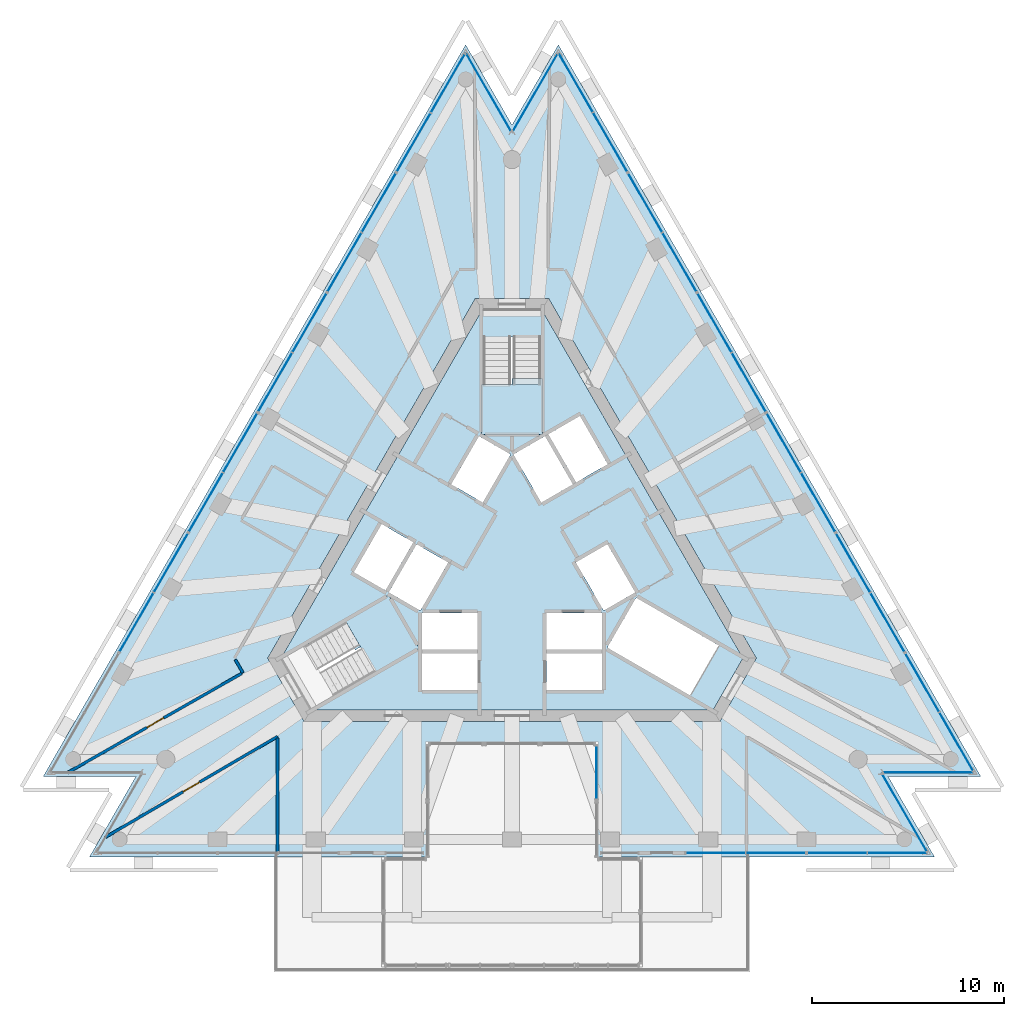
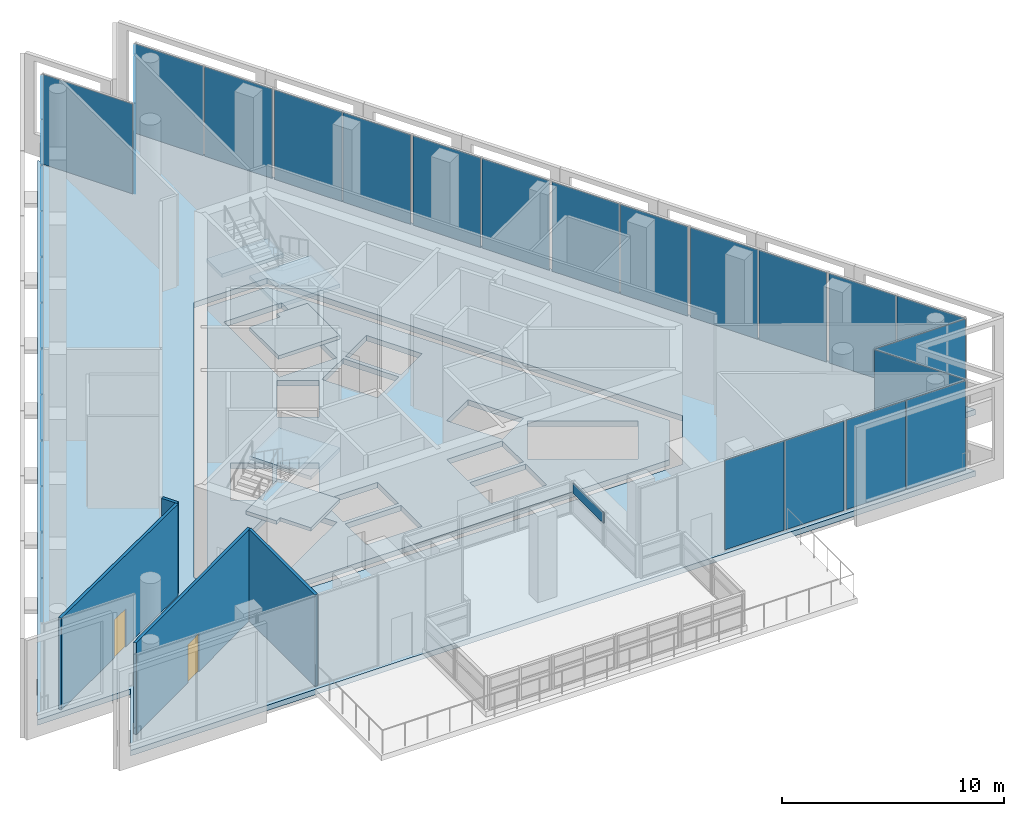
# One storey, part 11 of 17: 31 plates, 7 slabs, 4 walls, 2 doors, 2 openings, 20 elements without a shape of their own.
"""IFC4 building model written with IfcOpenShell, lengths in metres."""

from ifc_helpers import new_model, si_unit, direction, frame, frame_2d, origin, origin_2d, place, context, subcontext, project, spatial, polyline, rectangle, outline, extrude, material, layer, layer_set, type_object, element, fill, aggregate, save


model = new_model("IFC4")

# Units and contexts
model_context = context("Model", 3, precision=1e-05, world=origin(), true_north=direction((0.0, 1.0)))
body_context = subcontext(model_context, "Body", "Model", "MODEL_VIEW")
ifc_project = project(units=[si_unit("LENGTHUNIT", "METRE"), si_unit("AREAUNIT", "SQUARE_METRE"), si_unit("VOLUMEUNIT", "CUBIC_METRE"), si_unit("PLANEANGLEUNIT", "RADIAN"), si_unit("MASSUNIT", "GRAM", prefix="KILO")], contexts=[model_context])

# Site, building, storey
site_placement = place(None, origin())
site = spatial("IfcSite", under=ifc_project, at=site_placement, CompositionType="ELEMENT")
building_placement = place(site_placement, origin())
building = spatial("IfcBuilding", under=site, at=building_placement, Name="Triada Interchange Tower", CompositionType="ELEMENT")
storey_placement = place(building_placement, frame((0.0, 0.0, 322.300048828125)))
storey = spatial("IfcBuildingStorey", under=building, at=storey_placement, Name="L77", CompositionType="ELEMENT", Elevation=322.300048828125)

# Slabs
ifc_material_1 = material(Name="Concrete C50/60", Category="concrete")
ifc_layer_1 = layer(ifc_material_1, 0.300048828125)
ifc_layer_set_1 = layer_set([ifc_layer_1], Name="Floor slab 300")
slab_type_1 = type_object("IfcSlabType", Name="Floor slab 300", PredefinedType="FLOOR", material=ifc_layer_set_1)
slab_1_placement = place(storey_placement, frame((0.0, 0.0, -0.300048828125)))
element("IfcSlab", 1, at=slab_1_placement, inside=storey, type_object=slab_type_1, Name="Floor slab L77", PredefinedType="FLOOR", context=body_context, shape_type="SweptSolid", body=[
    extrude(outline(polyline([(-2.416015625, 26.81494140625), (-24.430908203125, -11.31494140625), (-19.597900390625, -11.31494140625), (-22.013916015625, -15.5), (22.013916015625, -15.5), (19.597900390625, -11.31494140625), (24.430908203125, -11.31494140625), (2.416015625, 26.81494140625), (0.0, 22.6298828125), (-2.416015625, 26.81494140625)]), holes=[polyline([(1.905029296875, 13.60009765625), (-1.905029296875, 13.60009765625), (-12.73095703125, -5.14990234375), (-10.824951171875, -8.449951171875), (10.824951171875, -8.449951171875), (12.73095703125, -5.14990234375), (1.905029296875, 13.60009765625)])]), origin(), (0.0, 0.0, 1.0), 0.300048828125),
])
slab_2_placement = place(storey_placement, frame((0.0, 0.0, -0.300048828125)))
element("IfcSlab", 2, at=slab_2_placement, inside=storey, type_object=slab_type_1, Name="Core floor slab L77 1", PredefinedType="FLOOR", context=body_context, shape_type="SweptSolid", body=[
    extrude(outline(polyline([(12.0380859375, -5.14990234375), (10.47900390625, -7.85009765625), (-10.47900390625, -7.85009765625), (-12.0380859375, -5.14990234375), (-1.55908203125, 13.0), (1.55908203125, 13.0), (12.0380859375, -5.14990234375)]), holes=[polyline([(9.2958984375, -7.09912109375), (10.7958984375, -4.5009765625), (6.466064453125, -2.0009765625), (4.966064453125, -4.59912109375), (9.2958984375, -7.09912109375)]), polyline([(4.969970703125, 0.791015625), (3.324951171875, -0.158935546875), (4.77490234375, -2.669921875), (6.419921875, -1.719970703125), (4.969970703125, 0.791015625)]), polyline([(1.89404296875, 6.52001953125), (3.343994140625, 4.009033203125), (4.989013671875, 4.958984375), (3.5390625, 7.469970703125), (1.89404296875, 6.52001953125)]), polyline([(1.800048828125, -4.89990234375), (1.800048828125, -6.4990234375), (1.800048828125, -6.800048828125), (4.699951171875, -6.800048828125), (4.699951171875, -4.89990234375), (1.800048828125, -4.89990234375)]), polyline([(4.699951171875, -2.800048828125), (1.800048828125, -2.800048828125), (1.800048828125, -4.699951171875), (4.699951171875, -4.699951171875), (4.699951171875, -2.800048828125)]), polyline([(1.52490234375, 2.958984375), (2.594970703125, 3.576904296875), (3.169921875, 3.908935546875), (1.719970703125, 6.419921875), (0.074951171875, 5.469970703125), (1.52490234375, 2.958984375)]), polyline([(-1.5, 11.60009765625), (-1.5, 6.60009765625), (1.5, 6.60009765625), (1.5, 11.60009765625), (-1.5, 11.60009765625)]), polyline([(-1.52490234375, 2.958984375), (-0.074951171875, 5.469970703125), (-1.719970703125, 6.419921875), (-3.169921875, 3.908935546875), (-1.52490234375, 2.958984375)]), polyline([(-1.800048828125, -2.800048828125), (-4.699951171875, -2.800048828125), (-4.699951171875, -4.699951171875), (-1.800048828125, -4.699951171875), (-1.800048828125, -2.800048828125)]), polyline([(-4.699951171875, -6.800048828125), (-1.800048828125, -6.800048828125), (-1.800048828125, -6.4990234375), (-1.800048828125, -4.89990234375), (-4.699951171875, -4.89990234375), (-4.699951171875, -6.800048828125)]), polyline([(-3.427978515625, -0.09912109375), (-4.969970703125, 0.791015625), (-6.419921875, -1.719970703125), (-4.77490234375, -2.669921875), (-3.324951171875, -0.158935546875), (-3.427978515625, -0.09912109375)]), polyline([(-10.7958984375, -4.5009765625), (-9.2958984375, -7.09912109375), (-4.966064453125, -4.59912109375), (-6.466064453125, -2.0009765625), (-10.7958984375, -4.5009765625)]), polyline([(-6.593994140625, -1.6201171875), (-5.14404296875, 0.89111328125), (-6.7890625, 1.841064453125), (-8.239013671875, -0.669921875), (-6.593994140625, -1.6201171875)])]), origin(), (0.0, 0.0, 1.0), 0.300048828125),
])

# Curtain wall, plates
ifc_material_2 = material(Name="Aluminium framed glazing", Category="aluminium")
ifc_layer_2 = layer(ifc_material_2, 0.199951171875)
ifc_layer_set_2 = layer_set([ifc_layer_2], Name="Curtain wall Sky lobby glazing")
curtain_wall_type_1 = type_object("IfcCurtainWallType", Name="Curtain wall Sky lobby glazing", PredefinedType="NOTDEFINED", material=ifc_layer_set_2)
curtain_wall_1_placement = place(storey_placement, origin())
curtain_wall_1 = element("IfcCurtainWall", 3, at=curtain_wall_1_placement, inside=storey, type_object=curtain_wall_type_1, Name="Sky lobby glazing CW301 L77", PredefinedType="NOTDEFINED")
ifc_material_3 = material(Name="Insulated glazing unit", Category="glass")
ifc_layer_3 = layer(ifc_material_3, 0.028076171875)
ifc_layer_set_3 = layer_set([ifc_layer_3], Name="Glazing panel Sky lobby glazing 28")
plate_type_1 = type_object("IfcPlateType", Name="Glazing panel Sky lobby glazing 28", PredefinedType="CURTAIN_PANEL", material=ifc_layer_set_3)
plate_1_placement = place(storey_placement, frame((-3.34814453125, 24.80029296875, 0.06005859375), z_axis=(0.0, 0.0, 1.0), x_axis=(-0.500000595274, -0.866025060103, 0.0)))
plate_1 = element("IfcPlate", 4, at=plate_1_placement, type_object=plate_type_1, Name="CW301 panel 1.1", PredefinedType="CURTAIN_PANEL", context=body_context, shape_type="SweptSolid", body=[
    extrude(rectangle(XDim=3.489013671875, YDim=0.028076171875, at=origin_2d()), origin(), (0.0, 0.0, 1.0), 4.929931640625),
])
plate_2_placement = place(storey_placement, frame((-5.122802734375, 21.726806640625, 0.06005859375), z_axis=(0.0, 0.0, 1.0), x_axis=(-0.500000595274, -0.866025060103, 0.0)))
plate_2 = element("IfcPlate", 5, at=plate_2_placement, type_object=plate_type_1, Name="CW301 panel 2.1", PredefinedType="CURTAIN_PANEL", context=body_context, shape_type="SweptSolid", body=[
    extrude(rectangle(XDim=3.489013671875, YDim=0.028076171875, at=origin_2d()), origin(), (0.0, 0.0, 1.0), 4.929931640625),
])
aggregate(curtain_wall_1, [plate_1, plate_2])

curtain_wall_2_placement = place(storey_placement, origin())
curtain_wall_2 = element("IfcCurtainWall", 6, at=curtain_wall_2_placement, inside=storey, type_object=curtain_wall_type_1, Name="Sky lobby glazing CW302 L77", PredefinedType="NOTDEFINED")
plate_3_placement = place(storey_placement, frame((-6.93896484375, 18.581298828125, 0.06005859375), z_axis=(0.0, 0.0, 1.0), x_axis=(-0.499926472032, -0.866067851015, 0.0)))
plate_3 = element("IfcPlate", 7, at=plate_3_placement, type_object=plate_type_1, Name="CW302 panel 1.1", PredefinedType="CURTAIN_PANEL", context=body_context, shape_type="SweptSolid", body=[
    extrude(rectangle(XDim=3.5166015625, YDim=0.028076171875, at=origin_2d()), origin(), (0.0, 0.0, 1.0), 4.929931640625),
])
plate_4_placement = place(storey_placement, frame((-8.72705078125, 15.483642578125, 0.06005859375), z_axis=(0.0, 0.0, 1.0), x_axis=(-0.499926472032, -0.866067851015, 0.0)))
plate_4 = element("IfcPlate", 8, at=plate_4_placement, type_object=plate_type_1, Name="CW302 panel 2.1", PredefinedType="CURTAIN_PANEL", context=body_context, shape_type="SweptSolid", body=[
    extrude(rectangle(XDim=3.5166015625, YDim=0.028076171875, at=origin_2d()), origin(), (0.0, 0.0, 1.0), 4.929931640625),
])
aggregate(curtain_wall_2, [plate_3, plate_4])

curtain_wall_3_placement = place(storey_placement, origin())
curtain_wall_3 = element("IfcCurtainWall", 9, at=curtain_wall_3_placement, inside=storey, type_object=curtain_wall_type_1, Name="Sky lobby glazing CW303 L77", PredefinedType="NOTDEFINED")
plate_5_placement = place(storey_placement, frame((-10.55029296875, 12.326171875, 0.06005859375), z_axis=(0.0, 0.0, 1.0), x_axis=(-0.500030449467, -0.866007823062, 0.0)))
plate_5 = element("IfcPlate", 10, at=plate_5_placement, type_object=plate_type_1, Name="CW303 panel 1.1", PredefinedType="CURTAIN_PANEL", context=body_context, shape_type="SweptSolid", body=[
    extrude(rectangle(XDim=3.516845703125, YDim=0.028076171875, at=origin_2d()), origin(), (0.0, 0.0, 1.0), 4.929931640625),
])
plate_6_placement = place(storey_placement, frame((-12.3388671875, 9.228759765625, 0.06005859375), z_axis=(0.0, 0.0, 1.0), x_axis=(-0.500030449467, -0.866007823062, 0.0)))
plate_6 = element("IfcPlate", 11, at=plate_6_placement, type_object=plate_type_1, Name="CW303 panel 2.1", PredefinedType="CURTAIN_PANEL", context=body_context, shape_type="SweptSolid", body=[
    extrude(rectangle(XDim=3.516845703125, YDim=0.028076171875, at=origin_2d()), origin(), (0.0, 0.0, 1.0), 4.929931640625),
])
aggregate(curtain_wall_3, [plate_5, plate_6])

curtain_wall_4_placement = place(storey_placement, origin())
curtain_wall_4 = element("IfcCurtainWall", 12, at=curtain_wall_4_placement, inside=storey, type_object=curtain_wall_type_1, Name="Sky lobby glazing CW304 L77", PredefinedType="NOTDEFINED")
plate_7_placement = place(storey_placement, frame((-14.162109375, 6.0712890625, 0.06005859375), z_axis=(0.0, 0.0, 1.0), x_axis=(-0.499926472032, -0.866067851015, 0.0)))
plate_7 = element("IfcPlate", 13, at=plate_7_placement, type_object=plate_type_1, Name="CW304 panel 1.1", PredefinedType="CURTAIN_PANEL", context=body_context, shape_type="SweptSolid", body=[
    extrude(rectangle(XDim=3.5166015625, YDim=0.028076171875, at=origin_2d()), origin(), (0.0, 0.0, 1.0), 4.929931640625),
])
plate_8_placement = place(storey_placement, frame((-15.949951171875, 2.9736328125, 0.06005859375), z_axis=(0.0, 0.0, 1.0), x_axis=(-0.499926472032, -0.866067851015, 0.0)))
plate_8 = element("IfcPlate", 14, at=plate_8_placement, type_object=plate_type_1, Name="CW304 panel 2.1", PredefinedType="CURTAIN_PANEL", context=body_context, shape_type="SweptSolid", body=[
    extrude(rectangle(XDim=3.5166015625, YDim=0.028076171875, at=origin_2d()), origin(), (0.0, 0.0, 1.0), 4.929931640625),
])
aggregate(curtain_wall_4, [plate_7, plate_8])

curtain_wall_5_placement = place(storey_placement, origin())
curtain_wall_5 = element("IfcCurtainWall", 15, at=curtain_wall_5_placement, inside=storey, type_object=curtain_wall_type_1, Name="Sky lobby glazing CW305 L77", PredefinedType="NOTDEFINED")
plate_9_placement = place(storey_placement, frame((-17.773193359375, -0.183837890625, 0.06005859375), z_axis=(0.0, 0.0, 1.0), x_axis=(-0.500030449467, -0.866007823062, 0.0)))
plate_9 = element("IfcPlate", 16, at=plate_9_placement, type_object=plate_type_1, Name="CW305 panel 1.1", PredefinedType="CURTAIN_PANEL", context=body_context, shape_type="SweptSolid", body=[
    extrude(rectangle(XDim=3.516845703125, YDim=0.028076171875, at=origin_2d()), origin(), (0.0, 0.0, 1.0), 4.929931640625),
])
plate_10_placement = place(storey_placement, frame((-19.561767578125, -3.28125, 0.06005859375), z_axis=(0.0, 0.0, 1.0), x_axis=(-0.500030449467, -0.866007823062, 0.0)))
plate_10 = element("IfcPlate", 17, at=plate_10_placement, type_object=plate_type_1, Name="CW305 panel 2.1", PredefinedType="CURTAIN_PANEL", context=body_context, shape_type="SweptSolid", body=[
    extrude(rectangle(XDim=3.516845703125, YDim=0.028076171875, at=origin_2d()), origin(), (0.0, 0.0, 1.0), 4.929931640625),
])
aggregate(curtain_wall_5, [plate_9, plate_10])

curtain_wall_6_placement = place(storey_placement, origin())
curtain_wall_6 = element("IfcCurtainWall", 18, at=curtain_wall_6_placement, inside=storey, type_object=curtain_wall_type_1, Name="Sky lobby glazing CW313 L77", PredefinedType="NOTDEFINED")
plate_11_placement = place(storey_placement, frame((10.60595703125, -15.300048828125, 0.06005859375), z_axis=(0.0, 0.0, 1.0), x_axis=(1.0, 0.0, 0.0)))
plate_11 = element("IfcPlate", 19, at=plate_11_placement, type_object=plate_type_1, Name="CW313 panel 1.1", PredefinedType="CURTAIN_PANEL", context=body_context, shape_type="SweptSolid", body=[
    extrude(rectangle(XDim=3.072021484375, YDim=0.028076171875, at=origin_2d()), origin(), (0.0, 0.0, 1.0), 4.929931640625),
])
plate_12_placement = place(storey_placement, frame((13.738037109375, -15.300048828125, 0.06005859375), z_axis=(0.0, 0.0, 1.0), x_axis=(1.0, 0.0, 0.0)))
plate_12 = element("IfcPlate", 20, at=plate_12_placement, type_object=plate_type_1, Name="CW313 panel 2.1", PredefinedType="CURTAIN_PANEL", context=body_context, shape_type="SweptSolid", body=[
    extrude(rectangle(XDim=3.072021484375, YDim=0.028076171875, at=origin_2d()), origin(), (0.0, 0.0, 1.0), 4.929931640625),
])
aggregate(curtain_wall_6, [plate_11, plate_12])

curtain_wall_7_placement = place(storey_placement, origin())
curtain_wall_7 = element("IfcCurtainWall", 21, at=curtain_wall_7_placement, inside=storey, type_object=curtain_wall_type_1, Name="Sky lobby glazing CW314 L77", PredefinedType="NOTDEFINED")
plate_13_placement = place(storey_placement, frame((16.93994140625, -15.300048828125, 0.06005859375), z_axis=(0.0, 0.0, 1.0), x_axis=(1.0, 0.0, 0.0)))
plate_13 = element("IfcPlate", 22, at=plate_13_placement, type_object=plate_type_1, Name="CW314 panel 1.1", PredefinedType="CURTAIN_PANEL", context=body_context, shape_type="SweptSolid", body=[
    extrude(rectangle(XDim=3.072021484375, YDim=0.028076171875, at=origin_2d()), origin(), (0.0, 0.0, 1.0), 4.929931640625),
])
plate_14_placement = place(storey_placement, frame((20.072021484375, -15.300048828125, 0.06005859375), z_axis=(0.0, 0.0, 1.0), x_axis=(1.0, 0.0, 0.0)))
plate_14 = element("IfcPlate", 23, at=plate_14_placement, type_object=plate_type_1, Name="CW314 panel 2.1", PredefinedType="CURTAIN_PANEL", context=body_context, shape_type="SweptSolid", body=[
    extrude(rectangle(XDim=3.072021484375, YDim=0.028076171875, at=origin_2d()), origin(), (0.0, 0.0, 1.0), 4.929931640625),
])
aggregate(curtain_wall_7, [plate_13, plate_14])

curtain_wall_8_placement = place(storey_placement, origin())
curtain_wall_8 = element("IfcCurtainWall", 24, at=curtain_wall_8_placement, inside=storey, type_object=curtain_wall_type_1, Name="Sky lobby glazing CW317 L77", PredefinedType="NOTDEFINED")
plate_15_placement = place(storey_placement, frame((23.15283203125, -9.500244140625, 0.06005859375), z_axis=(0.0, 0.0, 1.0), x_axis=(-0.500000595274, 0.866025060103, 0.0)))
plate_15 = element("IfcPlate", 25, at=plate_15_placement, type_object=plate_type_1, Name="CW317 panel 1.1", PredefinedType="CURTAIN_PANEL", context=body_context, shape_type="SweptSolid", body=[
    extrude(rectangle(XDim=3.489013671875, YDim=0.028076171875, at=origin_2d()), origin(), (0.0, 0.0, 1.0), 4.929931640625),
])
plate_16_placement = place(storey_placement, frame((21.378173828125, -6.4267578125, 0.06005859375), z_axis=(0.0, 0.0, 1.0), x_axis=(-0.500000595274, 0.866025060103, 0.0)))
plate_16 = element("IfcPlate", 26, at=plate_16_placement, type_object=plate_type_1, Name="CW317 panel 2.1", PredefinedType="CURTAIN_PANEL", context=body_context, shape_type="SweptSolid", body=[
    extrude(rectangle(XDim=3.489013671875, YDim=0.028076171875, at=origin_2d()), origin(), (0.0, 0.0, 1.0), 4.929931640625),
])
aggregate(curtain_wall_8, [plate_15, plate_16])

curtain_wall_9_placement = place(storey_placement, origin())
curtain_wall_9 = element("IfcCurtainWall", 27, at=curtain_wall_9_placement, inside=storey, type_object=curtain_wall_type_1, Name="Sky lobby glazing CW318 L77", PredefinedType="NOTDEFINED")
plate_17_placement = place(storey_placement, frame((19.56201171875, -3.28125, 0.06005859375), z_axis=(0.0, 0.0, 1.0), x_axis=(-0.499926472032, 0.866067851015, 0.0)))
plate_17 = element("IfcPlate", 28, at=plate_17_placement, type_object=plate_type_1, Name="CW318 panel 1.1", PredefinedType="CURTAIN_PANEL", context=body_context, shape_type="SweptSolid", body=[
    extrude(rectangle(XDim=3.5166015625, YDim=0.028076171875, at=origin_2d()), origin(), (0.0, 0.0, 1.0), 4.929931640625),
])
plate_18_placement = place(storey_placement, frame((17.77392578125, -0.183837890625, 0.06005859375), z_axis=(0.0, 0.0, 1.0), x_axis=(-0.499926472032, 0.866067851015, 0.0)))
plate_18 = element("IfcPlate", 29, at=plate_18_placement, type_object=plate_type_1, Name="CW318 panel 2.1", PredefinedType="CURTAIN_PANEL", context=body_context, shape_type="SweptSolid", body=[
    extrude(rectangle(XDim=3.5166015625, YDim=0.028076171875, at=origin_2d()), origin(), (0.0, 0.0, 1.0), 4.929931640625),
])
aggregate(curtain_wall_9, [plate_17, plate_18])

curtain_wall_10_placement = place(storey_placement, origin())
curtain_wall_10 = element("IfcCurtainWall", 30, at=curtain_wall_10_placement, inside=storey, type_object=curtain_wall_type_1, Name="Sky lobby glazing CW319 L77", PredefinedType="NOTDEFINED")
plate_19_placement = place(storey_placement, frame((15.95068359375, 2.9736328125, 0.06005859375), z_axis=(0.0, 0.0, 1.0), x_axis=(-0.500030449467, 0.866007823062, 0.0)))
plate_19 = element("IfcPlate", 31, at=plate_19_placement, type_object=plate_type_1, Name="CW319 panel 1.1", PredefinedType="CURTAIN_PANEL", context=body_context, shape_type="SweptSolid", body=[
    extrude(rectangle(XDim=3.516845703125, YDim=0.028076171875, at=origin_2d()), origin(), (0.0, 0.0, 1.0), 4.929931640625),
])
plate_20_placement = place(storey_placement, frame((14.162353515625, 6.0712890625, 0.06005859375), z_axis=(0.0, 0.0, 1.0), x_axis=(-0.500030449467, 0.866007823062, 0.0)))
plate_20 = element("IfcPlate", 32, at=plate_20_placement, type_object=plate_type_1, Name="CW319 panel 2.1", PredefinedType="CURTAIN_PANEL", context=body_context, shape_type="SweptSolid", body=[
    extrude(rectangle(XDim=3.516845703125, YDim=0.028076171875, at=origin_2d()), origin(), (0.0, 0.0, 1.0), 4.929931640625),
])
aggregate(curtain_wall_10, [plate_19, plate_20])

curtain_wall_11_placement = place(storey_placement, origin())
curtain_wall_11 = element("IfcCurtainWall", 33, at=curtain_wall_11_placement, inside=storey, type_object=curtain_wall_type_1, Name="Sky lobby glazing CW320 L77", PredefinedType="NOTDEFINED")
plate_21_placement = place(storey_placement, frame((12.339111328125, 9.228759765625, 0.06005859375), z_axis=(0.0, 0.0, 1.0), x_axis=(-0.499926472032, 0.866067851015, 0.0)))
plate_21 = element("IfcPlate", 34, at=plate_21_placement, type_object=plate_type_1, Name="CW320 panel 1.1", PredefinedType="CURTAIN_PANEL", context=body_context, shape_type="SweptSolid", body=[
    extrude(rectangle(XDim=3.5166015625, YDim=0.028076171875, at=origin_2d()), origin(), (0.0, 0.0, 1.0), 4.929931640625),
])
plate_22_placement = place(storey_placement, frame((10.551025390625, 12.326171875, 0.06005859375), z_axis=(0.0, 0.0, 1.0), x_axis=(-0.499926472032, 0.866067851015, 0.0)))
plate_22 = element("IfcPlate", 35, at=plate_22_placement, type_object=plate_type_1, Name="CW320 panel 2.1", PredefinedType="CURTAIN_PANEL", context=body_context, shape_type="SweptSolid", body=[
    extrude(rectangle(XDim=3.5166015625, YDim=0.028076171875, at=origin_2d()), origin(), (0.0, 0.0, 1.0), 4.929931640625),
])
aggregate(curtain_wall_11, [plate_21, plate_22])

curtain_wall_12_placement = place(storey_placement, origin())
curtain_wall_12 = element("IfcCurtainWall", 36, at=curtain_wall_12_placement, inside=storey, type_object=curtain_wall_type_1, Name="Sky lobby glazing CW321 L77", PredefinedType="NOTDEFINED")
plate_23_placement = place(storey_placement, frame((8.727783203125, 15.483642578125, 0.06005859375), z_axis=(0.0, 0.0, 1.0), x_axis=(-0.500030449467, 0.866007823062, 0.0)))
plate_23 = element("IfcPlate", 37, at=plate_23_placement, type_object=plate_type_1, Name="CW321 panel 1.1", PredefinedType="CURTAIN_PANEL", context=body_context, shape_type="SweptSolid", body=[
    extrude(rectangle(XDim=3.516845703125, YDim=0.028076171875, at=origin_2d()), origin(), (0.0, 0.0, 1.0), 4.929931640625),
])
plate_24_placement = place(storey_placement, frame((6.939208984375, 18.581298828125, 0.06005859375), z_axis=(0.0, 0.0, 1.0), x_axis=(-0.500030449467, 0.866007823062, 0.0)))
plate_24 = element("IfcPlate", 38, at=plate_24_placement, type_object=plate_type_1, Name="CW321 panel 2.1", PredefinedType="CURTAIN_PANEL", context=body_context, shape_type="SweptSolid", body=[
    extrude(rectangle(XDim=3.516845703125, YDim=0.028076171875, at=origin_2d()), origin(), (0.0, 0.0, 1.0), 4.929931640625),
])
aggregate(curtain_wall_12, [plate_23, plate_24])

curtain_wall_13_placement = place(storey_placement, origin())
curtain_wall_13 = element("IfcCurtainWall", 39, at=curtain_wall_13_placement, inside=storey, type_object=curtain_wall_type_1, Name="Sky lobby glazing CW322 L77", PredefinedType="NOTDEFINED")
plate_25_placement = place(storey_placement, frame((5.115234375, 21.73974609375, 0.06005859375), z_axis=(0.0, 0.0, 1.0), x_axis=(-0.49999828215, 0.866026395584, 0.0)))
plate_25 = element("IfcPlate", 40, at=plate_25_placement, type_object=plate_type_1, Name="CW322 panel 1.1", PredefinedType="CURTAIN_PANEL", context=body_context, shape_type="SweptSolid", body=[
    extrude(rectangle(XDim=3.51904296875, YDim=0.028076171875, at=origin_2d()), origin(), (0.0, 0.0, 1.0), 4.929931640625),
])
plate_26_placement = place(storey_placement, frame((3.32568359375, 24.83935546875, 0.06005859375), z_axis=(0.0, 0.0, 1.0), x_axis=(-0.49999828215, 0.866026395584, 0.0)))
plate_26 = element("IfcPlate", 41, at=plate_26_placement, type_object=plate_type_1, Name="CW322 panel 2.1", PredefinedType="CURTAIN_PANEL", context=body_context, shape_type="SweptSolid", body=[
    extrude(rectangle(XDim=3.51904296875, YDim=0.028076171875, at=origin_2d()), origin(), (0.0, 0.0, 1.0), 4.929931640625),
])
aggregate(curtain_wall_13, [plate_25, plate_26])

# Curtain wall, plate
ifc_layer_4 = layer(ifc_material_2, 0.199951171875)
ifc_layer_set_4 = layer_set([ifc_layer_4], Name="Curtain wall Sky pool enclosure")
curtain_wall_type_2 = type_object("IfcCurtainWallType", Name="Curtain wall Sky pool enclosure", PredefinedType="NOTDEFINED", material=ifc_layer_set_4)
curtain_wall_14_placement = place(storey_placement, origin())
curtain_wall_14 = element("IfcCurtainWall", 42, at=curtain_wall_14_placement, inside=storey, type_object=curtain_wall_type_2, Name="Sky pool enclosure CW902 L77", PredefinedType="NOTDEFINED")
ifc_layer_5 = layer(ifc_material_3, 0.0439453125)
ifc_layer_set_5 = layer_set([ifc_layer_5], Name="Glazing panel Sky pool enclosure 44")
plate_type_2 = type_object("IfcPlateType", Name="Glazing panel Sky pool enclosure 44", PredefinedType="CURTAIN_PANEL", material=ifc_layer_set_5)
plate_27_placement = place(storey_placement, frame((4.39990234375, -11.114990234375, 1.43994140625), z_axis=(0.0, 0.0, 1.0), x_axis=(0.0, 1.0, 0.0)))
plate_27 = element("IfcPlate", 43, at=plate_27_placement, type_object=plate_type_2, Name="CW902 panel 1.2", PredefinedType="CURTAIN_PANEL", context=body_context, shape_type="SweptSolid", body=[
    extrude(rectangle(XDim=2.72998046875, YDim=0.0439453125, at=origin_2d()), origin(), (0.0, 0.0, 1.0), 0.580078125),
])
aggregate(curtain_wall_14, [plate_27])

ifc_layer_6 = layer(ifc_material_2, 0.199951171875)
ifc_layer_set_6 = layer_set([ifc_layer_6], Name="Curtain wall Winter garden glazing")
curtain_wall_type_3 = type_object("IfcCurtainWallType", Name="Curtain wall Winter garden glazing", PredefinedType="NOTDEFINED", material=ifc_layer_set_6)
curtain_wall_15_placement = place(storey_placement, origin())
curtain_wall_15 = element("IfcCurtainWall", 44, at=curtain_wall_15_placement, inside=storey, type_object=curtain_wall_type_3, Name="Winter garden glazing CW315 L77", PredefinedType="NOTDEFINED")
ifc_layer_7 = layer(ifc_material_3, 0.02392578125)
ifc_layer_set_7 = layer_set([ifc_layer_7], Name="Glazing panel Winter garden glazing 24")
plate_type_3 = type_object("IfcPlateType", Name="Glazing panel Winter garden glazing 24", PredefinedType="CURTAIN_PANEL", material=ifc_layer_set_7)
plate_28_placement = place(storey_placement, frame((20.445068359375, -13.181396484375, 0.0498046875), z_axis=(0.0, 0.0, 1.0), x_axis=(-0.499970349967, 0.866042521562, 0.0)))
plate_28 = element("IfcPlate", 45, at=plate_28_placement, type_object=plate_type_3, Name="CW315 panel 1.1", PredefinedType="CURTAIN_PANEL", context=body_context, shape_type="SweptSolid", body=[
    extrude(rectangle(XDim=4.67236328125, YDim=0.02392578125, at=origin_2d()), origin(), (0.0, 0.0, 1.0), 4.949951171875),
])
aggregate(curtain_wall_15, [plate_28])

curtain_wall_16_placement = place(storey_placement, origin())
curtain_wall_16 = element("IfcCurtainWall", 46, at=curtain_wall_16_placement, inside=storey, type_object=curtain_wall_type_3, Name="Winter garden glazing CW316 L77", PredefinedType="NOTDEFINED")
plate_29_placement = place(storey_placement, frame((21.698486328125, -11.114990234375, 0.0498046875), z_axis=(0.0, 0.0, 1.0), x_axis=(1.0, 0.0, 0.0)))
plate_29 = element("IfcPlate", 47, at=plate_29_placement, type_object=plate_type_3, Name="CW316 panel 1.1", PredefinedType="CURTAIN_PANEL", context=body_context, shape_type="SweptSolid", body=[
    extrude(rectangle(XDim=4.673095703125, YDim=0.02392578125, at=origin_2d()), origin(), (0.0, 0.0, 1.0), 4.949951171875),
])
aggregate(curtain_wall_16, [plate_29])

curtain_wall_17_placement = place(storey_placement, origin())
curtain_wall_17 = element("IfcCurtainWall", 48, at=curtain_wall_17_placement, inside=storey, type_object=curtain_wall_type_3, Name="Winter garden glazing CW323 L77", PredefinedType="NOTDEFINED")
plate_30_placement = place(storey_placement, frame((1.193115234375, 24.29638671875, 0.0498046875), z_axis=(0.0, 0.0, 1.0), x_axis=(-0.499970349967, -0.866042521562, 0.0)))
plate_30 = element("IfcPlate", 49, at=plate_30_placement, type_object=plate_type_3, Name="CW323 panel 1.1", PredefinedType="CURTAIN_PANEL", context=body_context, shape_type="SweptSolid", body=[
    extrude(rectangle(XDim=4.67236328125, YDim=0.02392578125, at=origin_2d()), origin(), (0.0, 0.0, 1.0), 4.949951171875),
])
aggregate(curtain_wall_17, [plate_30])

curtain_wall_18_placement = place(storey_placement, origin())
curtain_wall_18 = element("IfcCurtainWall", 50, at=curtain_wall_18_placement, inside=storey, type_object=curtain_wall_type_3, Name="Winter garden glazing CW324 L77", PredefinedType="NOTDEFINED")
plate_31_placement = place(storey_placement, frame((-1.222900390625, 24.348388671875, 0.0498046875), z_axis=(0.0, 0.0, 1.0), x_axis=(-0.499970349967, 0.866042521562, 0.0)))
plate_31 = element("IfcPlate", 51, at=plate_31_placement, type_object=plate_type_3, Name="CW324 panel 1.1", PredefinedType="CURTAIN_PANEL", context=body_context, shape_type="SweptSolid", body=[
    extrude(rectangle(XDim=4.67236328125, YDim=0.02392578125, at=origin_2d()), origin(), (0.0, 0.0, 1.0), 4.949951171875),
])
aggregate(curtain_wall_18, [plate_31])

# Stair, slabs
ifc_material_4 = material(Name="Concrete C35/45", Category="concrete")
stair_type = type_object("IfcStairType", Name="HALF TURN STAIR 1400", PredefinedType="HALF_TURN_STAIR", material=ifc_material_4)
stair_1_placement = place(storey_placement, origin())
stair_1 = element("IfcStair", 52, at=stair_1_placement, inside=storey, type_object=stair_type, Name="Exit stair S77-1", PredefinedType="HALF_TURN_STAIR")
ifc_layer_8 = layer(ifc_material_4, 0.199951171875)
ifc_layer_set_8 = layer_set([ifc_layer_8], Name="STAIR LANDING 200")
slab_type_2 = type_object("IfcSlabType", Name="STAIR LANDING 200", PredefinedType="LANDING", material=ifc_layer_set_8)
slab_3_placement = place(storey_placement, frame((0.0, 0.0, 1.05712890625)))
slab_3 = element("IfcSlab", 53, at=slab_3_placement, type_object=slab_type_2, Name="S77-1 landing 1", PredefinedType="LANDING", context=body_context, shape_type="SweptSolid", body=[
    extrude(outline(polyline([(1.60009765625, 6.5), (1.60009765625, 9.429931640625), (0.0, 9.429931640625), (0.0, 9.1201171875), (-1.60009765625, 9.1201171875), (-1.60009765625, 6.5), (1.60009765625, 6.5)])), origin(), (0.0, 0.0, 1.0), 0.199951171875),
])
slab_4_placement = place(storey_placement, frame((0.0, 0.0, 3.885498046875)))
slab_4 = element("IfcSlab", 54, at=slab_4_placement, type_object=slab_type_2, Name="S77-1 landing 2", PredefinedType="LANDING", context=body_context, shape_type="SweptSolid", body=[
    extrude(outline(polyline([(1.60009765625, 6.5), (1.60009765625, 9.1201171875), (-1.60009765625, 9.1201171875), (-1.60009765625, 6.5), (1.60009765625, 6.5)])), origin(), (0.0, 0.0, 1.0), 0.199951171875),
])
slab_5_placement = place(storey_placement, frame((0.0, 0.0, 2.471435546875)))
slab_5 = element("IfcSlab", 55, at=slab_5_placement, type_object=slab_type_2, Name="S77-1 landing 3", PredefinedType="LANDING", context=body_context, shape_type="SweptSolid", body=[
    extrude(outline(polyline([(1.60009765625, 11.60009765625), (1.60009765625, 13.0), (-1.60009765625, 13.0), (-1.60009765625, 11.60009765625), (1.60009765625, 11.60009765625)])), origin(), (0.0, 0.0, 1.0), 0.199951171875),
])
aggregate(stair_1, [slab_3, slab_4, slab_5])

stair_2_placement = place(storey_placement, origin())
stair_2 = element("IfcStair", 56, at=stair_2_placement, inside=storey, type_object=stair_type, Name="Exit stair S77-2", PredefinedType="HALF_TURN_STAIR")
slab_6_placement = place(storey_placement, frame((0.0, 0.0, 1.05712890625)))
slab_6 = element("IfcSlab", 57, at=slab_6_placement, type_object=slab_type_2, Name="S77-2 landing 1", PredefinedType="LANDING", context=body_context, shape_type="SweptSolid", body=[
    extrude(outline(polyline([(-6.428955078125, -1.864013671875), (-8.967041015625, -3.3291015625), (-8.1669921875, -4.715087890625), (-7.89794921875, -4.56005859375), (-7.097900390625, -5.946044921875), (-4.8291015625, -4.635986328125), (-6.428955078125, -1.864013671875)])), origin(), (0.0, 0.0, 1.0), 0.199951171875),
])
slab_7_placement = place(storey_placement, frame((0.0, 0.0, 3.885498046875)))
slab_7 = element("IfcSlab", 58, at=slab_7_placement, type_object=slab_type_2, Name="S77-2 landing 2", PredefinedType="LANDING", context=body_context, shape_type="SweptSolid", body=[
    extrude(outline(polyline([(-6.428955078125, -1.864013671875), (-8.697998046875, -3.174072265625), (-7.097900390625, -5.946044921875), (-4.8291015625, -4.635986328125), (-6.428955078125, -1.864013671875)])), origin(), (0.0, 0.0, 1.0), 0.199951171875),
])
aggregate(stair_2, [slab_6, slab_7])

# Wall
ifc_material_5 = material(Name="Gypsum board partition")
ifc_layer_9 = layer(ifc_material_5, 0.14990234375)
ifc_layer_set_9 = layer_set([ifc_layer_9], Name="PARTITION 150 EI 90")
wall_type = type_object("IfcWallType", Name="PARTITION 150 EI 90", PredefinedType="PARTITIONING", material=ifc_layer_set_9)
wall_1_placement = place(storey_placement, frame((-14.4189453125, -5.22509765625, 0.0), z_axis=(0.0, 0.0, 1.0), x_axis=(0.500308355439, -0.865847301479, 0.0)))
element("IfcWall", 59, at=wall_1_placement, inside=storey, type_object=wall_type, Name="Wall L77 6", PredefinedType="PARTITIONING", context=body_context, shape_type="SweptSolid", body=[
    extrude(rectangle(XDim=0.79345703125, YDim=0.14990234375, at=frame_2d((0.396728515625, 0.0))), origin(), (0.0, 0.0, 1.0), 5.050048828125),
])

# Wall, opening, door
wall_2_placement = place(storey_placement, frame((-23.159912109375, -11.114990234375, 0.0), z_axis=(0.0, 0.0, 1.0), x_axis=(0.869024974593, 0.494768222032, 0.0)))
wall_2 = element("IfcWall", 60, at=wall_2_placement, inside=storey, type_object=wall_type, Name="Wall L77 7", PredefinedType="PARTITIONING", context=body_context, shape_type="SweptSolid", body=[
    extrude(rectangle(XDim=10.439208984375, YDim=0.14990234375, at=frame_2d((5.2197265625, 0.0))), origin(), (0.0, 0.0, 1.0), 5.050048828125),
])
opening_1_placement = place(wall_2_placement, frame((4.757080078125, 0.0, 0.0)))
opening_1 = element("IfcOpeningElement", 61, at=opening_1_placement, cuts=wall_2, Name="Opening D77-19", PredefinedType="OPENING", context=body_context, shape_type="SweptSolid", body=[
    extrude(rectangle(XDim=1.0, YDim=2.10009765625, at=frame_2d((0.5, 1.050048828125))), frame((0.0, 0.0849609375, 0.0), z_axis=(0.0, -1.0, 0.0), x_axis=(1.0, 0.0, 0.0)), (0.0, 0.0, 1.0), 0.169921875),
])
ifc_material_6 = material(Name="Steel S235 door leaf", Category="steel")
door_type_1 = type_object("IfcDoorType", Name="ROOM DOOR 1000 EI2 90-C5S200", OperationType="NOTDEFINED", PredefinedType="DOOR", material=ifc_material_6)
door_1_placement = place(opening_1_placement, origin())
door_1 = element("IfcDoor", 62, at=door_1_placement, inside=storey, type_object=door_type_1, Name="Door D77-19 L77", OperationType="SINGLE_SWING_LEFT", OverallHeight=2.10009765625, OverallWidth=1.0, PredefinedType="DOOR", context=body_context, shape_type="SweptSolid", body=[
    extrude(rectangle(XDim=1.0, YDim=2.10009765625, at=frame_2d((0.5, 1.050048828125))), frame((0.0, 0.02490234375, 0.0), z_axis=(0.0, -1.0, 0.0), x_axis=(1.0, 0.0, 0.0)), (0.0, 0.0, 1.0), 0.050048828125),
])
fill(opening_1, door_1)

wall_3_placement = place(storey_placement, frame((-21.197021484375, -14.485107421875, 0.0), z_axis=(0.0, 0.0, 1.0), x_axis=(0.863146898816, 0.504952899848, 0.0)))
wall_3 = element("IfcWall", 63, at=wall_3_placement, inside=storey, type_object=wall_type, Name="Wall L77 8", PredefinedType="PARTITIONING", context=body_context, shape_type="SweptSolid", body=[
    extrude(rectangle(XDim=10.4072265625, YDim=0.14990234375, at=frame_2d((5.20361328125, 0.0))), origin(), (0.0, 0.0, 1.0), 5.050048828125),
])
opening_2_placement = place(wall_3_placement, frame((4.7041015625, 0.0, 0.0)))
opening_2 = element("IfcOpeningElement", 64, at=opening_2_placement, cuts=wall_3, Name="Opening D77-17", PredefinedType="OPENING", context=body_context, shape_type="SweptSolid", body=[
    extrude(rectangle(XDim=1.0, YDim=2.10009765625, at=frame_2d((0.5, 1.050048828125))), frame((0.0, 0.0849609375, 0.0), z_axis=(0.0, -1.0, 0.0), x_axis=(1.0, 0.0, 0.0)), (0.0, 0.0, 1.0), 0.169921875),
])
door_type_2 = type_object("IfcDoorType", Name="ROOM DOOR 1000 EI2 45-C5S200", OperationType="NOTDEFINED", PredefinedType="DOOR", material=ifc_material_6)
door_2_placement = place(opening_2_placement, origin())
door_2 = element("IfcDoor", 65, at=door_2_placement, inside=storey, type_object=door_type_2, Name="Door D77-17 L77", OperationType="SINGLE_SWING_RIGHT", OverallHeight=2.10009765625, OverallWidth=1.0, PredefinedType="DOOR", context=body_context, shape_type="SweptSolid", body=[
    extrude(rectangle(XDim=1.0, YDim=2.10009765625, at=frame_2d((0.5, 1.050048828125))), frame((0.0, 0.02490234375, 0.0), z_axis=(0.0, -1.0, 0.0), x_axis=(1.0, 0.0, 0.0)), (0.0, 0.0, 1.0), 0.050048828125),
])
fill(opening_2, door_2)

# Wall
wall_4_placement = place(storey_placement, frame((-12.214111328125, -15.300048828125, 0.0), z_axis=(0.0, 0.0, 1.0), x_axis=(0.0, 1.0, 0.0)))
element("IfcWall", 66, at=wall_4_placement, inside=storey, type_object=wall_type, Name="Wall L77 9", PredefinedType="PARTITIONING", context=body_context, shape_type="SweptSolid", body=[
    extrude(rectangle(XDim=5.983154296875, YDim=0.14990234375, at=frame_2d((2.99169921875, 0.0))), origin(), (0.0, 0.0, 1.0), 5.050048828125),
])

save(model, "model.ifc")
